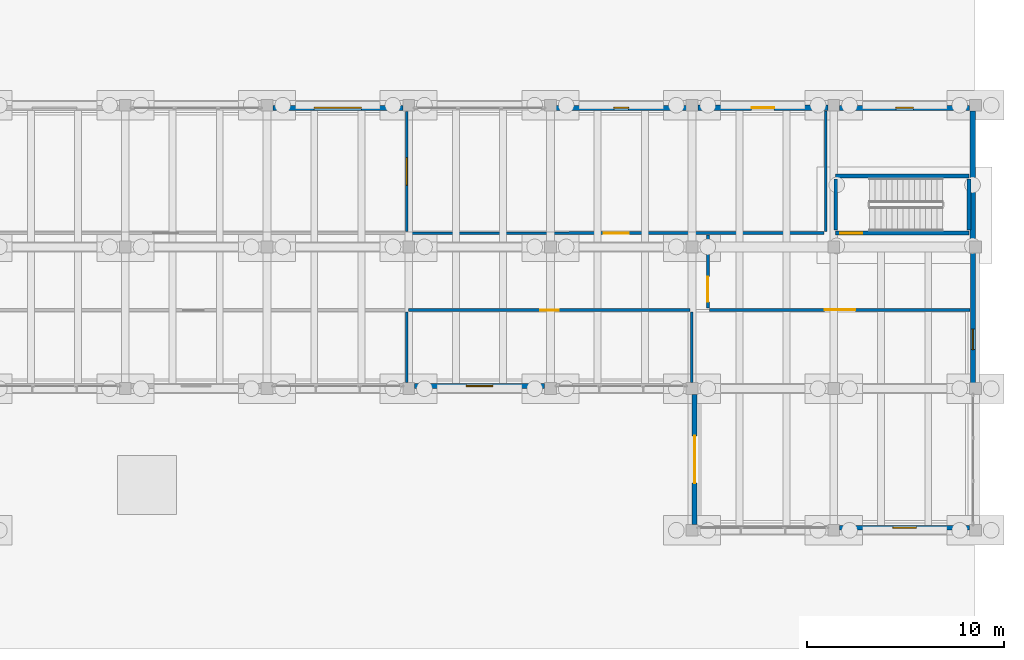
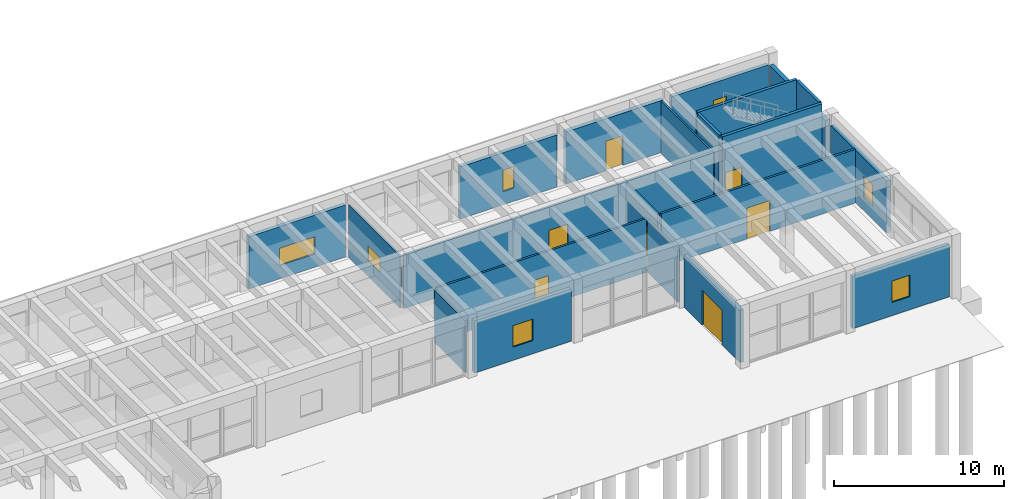
# One storey, part 127 of 155: 21 walls, 7 doors, 7 windows, 14 openings.
"""IFC4 building model written with IfcOpenShell, lengths in metres."""

from ifc_helpers import new_model, si_unit, direction, frame, frame_2d, origin, place, context, subcontext, project, spatial, rectangle, extrude, material, layer, layer_set, type_object, element, fill, save


model = new_model("IFC4")

# Units and contexts
model_context = context("Model", 3, precision=1e-05, world=origin(), true_north=direction((0.0, 1.0)))
body_context = subcontext(model_context, "Body", "Model", "MODEL_VIEW")
ifc_project = project(units=[si_unit("LENGTHUNIT", "METRE"), si_unit("AREAUNIT", "SQUARE_METRE"), si_unit("VOLUMEUNIT", "CUBIC_METRE"), si_unit("PLANEANGLEUNIT", "RADIAN"), si_unit("MASSUNIT", "GRAM", prefix="KILO")], contexts=[model_context])

# Site, building, storey
site_placement = place(None, origin())
site = spatial("IfcSite", under=ifc_project, at=site_placement, CompositionType="ELEMENT")
building_placement = place(site_placement, origin())
building = spatial("IfcBuilding", under=site, at=building_placement, Name="Bramvelor Terrace Health Centre", CompositionType="ELEMENT")
storey_placement = place(building_placement, origin())
storey = spatial("IfcBuildingStorey", under=building, at=storey_placement, Name="L01", CompositionType="ELEMENT", Elevation=0.0)

# Wall
ifc_material_1 = material(Name="Acoustic clinical partition board", Category="gypsum")
ifc_layer_1 = layer(ifc_material_1, 0.1201171875)
ifc_layer_set_1 = layer_set([ifc_layer_1], Name="Acoustic clinical partition board")
wall_type_1 = type_object("IfcWallType", Name="WL-CLN-120", PredefinedType="PARTITIONING", material=ifc_layer_set_1)
wall_1_placement = place(storey_placement, frame((136.699951171875, 54.300048828125, 0.0), z_axis=(0.0, 0.0, 1.0), x_axis=(0.0, -1.0, 0.0)))
element("IfcWall", 1, at=wall_1_placement, inside=storey, type_object=wall_type_1, Name="L01 Interior Partition 95", PredefinedType="PARTITIONING", context=body_context, shape_type="SweptSolid", body=[
    extrude(rectangle(XDim=3.590087890625, YDim=0.1201171875, at=frame_2d((1.794921875, 0.0))), origin(), (0.0, 0.0, 1.0), 3.760009765625),
])

# Wall, opening, window
wall_2_placement = place(storey_placement, frame((136.699951171875, 64.489990234375, 0.0), z_axis=(0.0, 0.0, 1.0), x_axis=(0.0, -1.0, 0.0)))
wall_2 = element("IfcWall", 2, at=wall_2_placement, inside=storey, type_object=wall_type_1, Name="L01 Interior Partition 98", PredefinedType="PARTITIONING", context=body_context, shape_type="SweptSolid", body=[
    extrude(rectangle(XDim=6.099609375, YDim=0.1201171875, at=frame_2d((3.0498046875, 0.0))), origin(), (0.0, 0.0, 1.0), 3.760009765625),
])
opening_1_placement = place(wall_2_placement, frame((2.349609375, 0.0, 1.14990234375)))
opening_1 = element("IfcOpeningElement", 3, at=opening_1_placement, cuts=wall_2, Name="Opening IWN-1", PredefinedType="OPENING", context=body_context, shape_type="SweptSolid", body=[
    extrude(rectangle(XDim=1.39990234375, YDim=1.050048828125, at=frame_2d((0.699951171875, 0.52490234375))), frame((0.0, 0.070068359375, 0.0), z_axis=(0.0, -1.0, 0.0), x_axis=(1.0, 0.0, 0.0)), (0.0, 0.0, 1.0), 0.14013671875),
])
ifc_material_2 = material(Name="Acoustic laminated observation glass", Category="glass")
window_type_1 = type_object("IfcWindowType", Name="WIN-INT-OBS140", PartitioningType="SINGLE_PANEL", PredefinedType="WINDOW", material=ifc_material_2)
window_1_placement = place(opening_1_placement, origin())
window_1 = element("IfcWindow", 4, at=window_1_placement, inside=storey, type_object=window_type_1, Name="L01 Clinical Observation Window 14", OverallHeight=1.050048828125, OverallWidth=1.39990234375, PartitioningType="SINGLE_PANEL", PredefinedType="WINDOW", context=body_context, shape_type="SweptSolid", body=[
    extrude(rectangle(XDim=1.39990234375, YDim=1.050048828125, at=frame_2d((0.699951171875, 0.52490234375))), frame((0.0, 0.030029296875, 0.0), z_axis=(0.0, -1.0, 0.0), x_axis=(1.0, 0.0, 0.0)), (0.0, 0.0, 1.0), 0.06005859375),
])
fill(opening_1, window_1)

# Walls
wall_3_placement = place(storey_placement, frame((158.0, 64.510009765625, 0.0), z_axis=(0.0, 0.0, 1.0), x_axis=(0.0, -1.0, 0.0)))
element("IfcWall", 5, at=wall_3_placement, inside=storey, type_object=wall_type_1, Name="L01 Interior Partition 101", PredefinedType="PARTITIONING", context=body_context, shape_type="SweptSolid", body=[
    extrude(rectangle(XDim=6.117919921875, YDim=0.1201171875, at=frame_2d((3.05908203125, 0.0))), origin(), (0.0, 0.0, 1.0), 3.760009765625),
])
ifc_material_3 = material(Name="Acoustic clinical partition board", Category="gypsum")
ifc_layer_2 = layer(ifc_material_3, 0.1298828125)
ifc_layer_set_2 = layer_set([ifc_layer_2], Name="Acoustic clinical partition board")
wall_type_2 = type_object("IfcWallType", Name="WL-CLN-130", PredefinedType="PARTITIONING", material=ifc_layer_set_2)
wall_4_placement = place(storey_placement, frame((151.18994140625, 54.300048828125, 0.0), z_axis=(0.0, 0.0, 1.0), x_axis=(0.0, -1.0, 0.0)))
element("IfcWall", 6, at=wall_4_placement, inside=storey, type_object=wall_type_2, Name="L01 Interior Partition 97", PredefinedType="PARTITIONING", context=body_context, shape_type="SweptSolid", body=[
    extrude(rectangle(XDim=3.590087890625, YDim=0.1298828125, at=frame_2d((1.794921875, 0.0))), origin(), (0.0, 0.0, 1.0), 3.760009765625),
])

# Wall, opening, door
ifc_material_4 = material(Name="Fire-rated gypsum and mineral wool", Category="gypsum")
ifc_layer_3 = layer(ifc_material_4, 0.139892578125)
ifc_layer_set_3 = layer_set([ifc_layer_3], Name="Fire-rated gypsum and mineral wool")
wall_type_3 = type_object("IfcWallType", Name="WL-COR-140", PredefinedType="PARTITIONING", material=ifc_layer_set_3)
wall_5_placement = place(storey_placement, frame((136.800048828125, 54.389892578125, 0.0), z_axis=(0.0, 0.0, 1.0), x_axis=(1.0, 0.0, 0.0)))
wall_5 = element("IfcWall", 7, at=wall_5_placement, inside=storey, type_object=wall_type_3, Name="L01 Interior Partition 96", PredefinedType="PARTITIONING", context=body_context, shape_type="SweptSolid", body=[
    extrude(rectangle(XDim=14.300048828125, YDim=0.139892578125, at=frame_2d((7.14990234375, 0.0))), origin(), (0.0, 0.0, 1.0), 3.860107421875),
])
opening_2_placement = place(wall_5_placement, frame((6.679931640625, 0.0, 0.0)))
opening_2 = element("IfcOpeningElement", 8, at=opening_2_placement, cuts=wall_5, Name="Opening FD-08", PredefinedType="OPENING", context=body_context, shape_type="SweptSolid", body=[
    extrude(rectangle(XDim=0.93994140625, YDim=2.10009765625, at=frame_2d((0.469970703125, 1.050048828125))), frame((0.0, 0.079833984375, 0.0), z_axis=(0.0, -1.0, 0.0), x_axis=(1.0, 0.0, 0.0)), (0.0, 0.0, 1.0), 0.159912109375),
])
ifc_material_5 = material(Name="Fire-rated steel and vision panel", Category="steel")
door_type_1 = type_object("IfcDoorType", Name="DR-FD60-094", OperationType="NOTDEFINED", PredefinedType="DOOR", material=ifc_material_5)
door_1_placement = place(opening_2_placement, origin())
door_1 = element("IfcDoor", 9, at=door_1_placement, inside=storey, type_object=door_type_1, Name="L01 Ambulatory Endoscopy Procedure Room 2 Fire Door", OperationType="SINGLE_SWING_LEFT", OverallHeight=2.10009765625, OverallWidth=0.93994140625, PredefinedType="DOOR", context=body_context, shape_type="SweptSolid", body=[
    extrude(rectangle(XDim=0.93994140625, YDim=2.10009765625, at=frame_2d((0.469970703125, 1.050048828125))), frame((0.0, 0.02490234375, 0.0), z_axis=(0.0, -1.0, 0.0), x_axis=(1.0, 0.0, 0.0)), (0.0, 0.0, 1.0), 0.050048828125),
])
fill(opening_2, door_1)

wall_6_placement = place(storey_placement, frame((157.909912109375, 58.302001953125, 0.0), z_axis=(0.0, 0.0, 1.0), x_axis=(-0.999999997592, -6.9391437e-05, 0.0)))
wall_6 = element("IfcWall", 10, at=wall_6_placement, inside=storey, type_object=wall_type_3, Name="L01 Interior Partition 102", PredefinedType="PARTITIONING", context=body_context, shape_type="SweptSolid", body=[
    extrude(rectangle(XDim=21.10986328125, YDim=0.139892578125, at=frame_2d((10.554931640625, 0.0))), origin(), (0.0, 0.0, 1.0), 3.860107421875),
])
opening_3_placement = place(wall_6_placement, frame((9.9150390625, 0.0, 0.0)))
opening_3 = element("IfcOpeningElement", 11, at=opening_3_placement, cuts=wall_6, Name="Opening FD-01", PredefinedType="OPENING", context=body_context, shape_type="SweptSolid", body=[
    extrude(rectangle(XDim=1.280029296875, YDim=2.179931640625, at=frame_2d((0.64013671875, 1.08984375))), frame((0.0, 0.079833984375, 0.0), z_axis=(0.0, -1.0, 0.0), x_axis=(1.0, 0.0, 0.0)), (0.0, 0.0, 1.0), 0.159912109375),
])
ifc_material_6 = material(Name="Fire-rated steel and vision panel", Category="steel")
door_type_2 = type_object("IfcDoorType", Name="DR-FD90-128", OperationType="NOTDEFINED", PredefinedType="DOOR", material=ifc_material_6)
door_2_placement = place(opening_3_placement, origin())
door_2 = element("IfcDoor", 12, at=door_2_placement, inside=storey, type_object=door_type_2, Name="L01 Endoscope Sterile Reprocessing Room Fire Door", OperationType="SINGLE_SWING_RIGHT", OverallHeight=2.179931640625, OverallWidth=1.280029296875, PredefinedType="DOOR", context=body_context, shape_type="SweptSolid", body=[
    extrude(rectangle(XDim=1.280029296875, YDim=2.179931640625, at=frame_2d((0.64013671875, 1.08984375))), frame((0.0, 0.02490234375, 0.0), z_axis=(0.0, -1.0, 0.0), x_axis=(1.0, 0.0, 0.0)), (0.0, 0.0, 1.0), 0.050048828125),
])
fill(opening_3, door_2)

ifc_material_7 = material(Name="Concrete C40/50", Category="concrete")
ifc_layer_4 = layer(ifc_material_7, 0.199951171875)
ifc_layer_set_4 = layer_set([ifc_layer_4], Name="Concrete C40/50")
wall_type_4 = type_object("IfcWallType", Name="WL-CORE-200", PredefinedType="SHEAR", material=ifc_layer_set_4)
wall_7_placement = place(storey_placement, frame((158.5, 58.300048828125, -0.25), z_axis=(0.0, 0.0, 1.0), x_axis=(1.0, 0.0, 0.0)))
wall_7 = element("IfcWall", 13, at=wall_7_placement, inside=storey, type_object=wall_type_4, Name="ST-7 L01 Stair Shaft Wall", PredefinedType="SHEAR", context=body_context, shape_type="SweptSolid", body=[
    extrude(rectangle(XDim=6.77490234375, YDim=0.199951171875, at=frame_2d((3.387451171875, 0.0))), origin(), (0.0, 0.0, 1.0), 5.050048828125),
])
opening_4_placement = place(wall_7_placement, frame((0.219970703125, 0.0, 0.25)))
opening_4 = element("IfcOpeningElement", 14, at=opening_4_placement, cuts=wall_7, Name="Opening FD-06", PredefinedType="OPENING", context=body_context, shape_type="SweptSolid", body=[
    extrude(rectangle(XDim=1.1201171875, YDim=2.139892578125, at=frame_2d((0.56005859375, 1.06982421875))), frame((0.0, 0.10986328125, 0.0), z_axis=(0.0, -1.0, 0.0), x_axis=(1.0, 0.0, 0.0)), (0.0, 0.0, 1.0), 0.219970703125),
])
ifc_material_8 = material(Name="Fire-rated steel and vision panel", Category="steel")
door_type_3 = type_object("IfcDoorType", Name="DR-FD60-112", OperationType="NOTDEFINED", PredefinedType="DOOR", material=ifc_material_8)
door_3_placement = place(opening_4_placement, origin())
door_3 = element("IfcDoor", 15, at=door_3_placement, inside=storey, type_object=door_type_3, Name="ST-7 L01 Exit Stair Fire Door", OperationType="SINGLE_SWING_LEFT", OverallHeight=2.139892578125, OverallWidth=1.1201171875, PredefinedType="DOOR", context=body_context, shape_type="SweptSolid", body=[
    extrude(rectangle(XDim=1.1201171875, YDim=2.139892578125, at=frame_2d((0.56005859375, 1.06982421875))), frame((0.0, 0.02490234375, 0.0), z_axis=(0.0, -1.0, 0.0), x_axis=(1.0, 0.0, 0.0)), (0.0, 0.0, 1.0), 0.050048828125),
])
fill(opening_4, door_3)

# Walls
wall_8_placement = place(storey_placement, frame((158.5, 61.199951171875, -0.25), z_axis=(0.0, 0.0, 1.0), x_axis=(1.0, 0.0, 0.0)))
element("IfcWall", 16, at=wall_8_placement, inside=storey, type_object=wall_type_4, Name="ST-7 L01 Stair Shaft Wall", PredefinedType="SHEAR", context=body_context, shape_type="SweptSolid", body=[
    extrude(rectangle(XDim=6.77490234375, YDim=0.199951171875, at=frame_2d((3.387451171875, 0.0))), origin(), (0.0, 0.0, 1.0), 5.050048828125),
])
for number, where, z_axis, x_axis, name in (
    (17, (158.5, 58.449951171875, -0.25), (0.0, 0.0, 1.0), (0.0, 1.0, 0.0), "ST-7 L01 Stair Shaft Wall"),
    (18, (165.27490234375, 58.449951171875, -0.25), (0.0, 0.0, 1.0), (0.0, 1.0, 0.0), "ST-7 L01 Stair Shaft Wall"),
):
    element("IfcWall", number, at=place(storey_placement, frame(where, z_axis=z_axis, x_axis=x_axis)), inside=storey, type_object=wall_type_4, Name=name, PredefinedType="SHEAR", context=body_context, shape_type="SweptSolid", body=[
        extrude(rectangle(XDim=2.60009765625, YDim=0.199951171875, at=frame_2d((1.300048828125, 0.0))), origin(), (0.0, 0.0, 1.0), 5.050048828125),
    ])

# Wall, opening, window
ifc_material_9 = material(Name="Precast concrete C40/50", Category="concrete")
ifc_layer_5 = layer(ifc_material_9, 0.25)
ifc_layer_set_5 = layer_set([ifc_layer_5], Name="Precast concrete C40/50")
wall_type_5 = type_object("IfcWallType", Name="WL-EXT-RC250", PredefinedType="SOLIDWALL", material=ifc_layer_set_5)
wall_9_placement = place(storey_placement, frame((129.89501953125, 64.669921875, 0.0), z_axis=(0.0, 0.0, 1.0), x_axis=(1.0, 0.0, 0.0)))
wall_9 = element("IfcWall", 19, at=wall_9_placement, inside=storey, type_object=wall_type_5, Name="L01 Exterior Facade Wall 83", PredefinedType="SOLIDWALL", context=body_context, shape_type="SweptSolid", body=[
    extrude(rectangle(XDim=6.60986328125, YDim=0.25, at=frame_2d((3.304931640625, 0.0))), origin(), (0.0, 0.0, 1.0), 3.760009765625),
])
opening_5_placement = place(wall_9_placement, frame((2.10498046875, 0.0, 0.949951171875)))
opening_5 = element("IfcOpeningElement", 20, at=opening_5_placement, cuts=wall_9, Name="Opening WN-36", PredefinedType="OPENING", context=body_context, shape_type="SweptSolid", body=[
    extrude(rectangle(XDim=2.39990234375, YDim=1.25, at=frame_2d((1.199951171875, 0.625))), frame((0.0, 0.135009765625, 0.0), z_axis=(0.0, -1.0, 0.0), x_axis=(1.0, 0.0, 0.0)), (0.0, 0.0, 1.0), 0.27001953125),
])
ifc_material_10 = material(Name="Double low-E laminated glass", Category="glass")
window_type_2 = type_object("IfcWindowType", Name="WIN-EXT-36", PartitioningType="SINGLE_PANEL", PredefinedType="WINDOW", material=ifc_material_10)
window_2_placement = place(opening_5_placement, origin())
window_2 = element("IfcWindow", 21, at=window_2_placement, inside=storey, type_object=window_type_2, Name="L01 Scheduled Clinical Window 36", OverallHeight=1.25, OverallWidth=2.39990234375, PartitioningType="SINGLE_PANEL", PredefinedType="WINDOW", context=body_context, shape_type="SweptSolid", body=[
    extrude(rectangle(XDim=2.39990234375, YDim=1.25, at=frame_2d((1.199951171875, 0.625))), frame((0.0, 0.030029296875, 0.0), z_axis=(0.0, -1.0, 0.0), x_axis=(1.0, 0.0, 0.0)), (0.0, 0.0, 1.0), 0.06005859375),
])
fill(opening_5, window_2)

wall_10_placement = place(storey_placement, frame((144.294921875, 64.669921875, 0.0), z_axis=(0.0, 0.0, 1.0), x_axis=(1.0, 0.0, 0.0)))
wall_10 = element("IfcWall", 22, at=wall_10_placement, inside=storey, type_object=wall_type_5, Name="L01 Exterior Facade Wall 85", PredefinedType="SOLIDWALL", context=body_context, shape_type="SweptSolid", body=[
    extrude(rectangle(XDim=6.610107421875, YDim=0.25, at=frame_2d((3.30517578125, 0.0))), origin(), (0.0, 0.0, 1.0), 3.760009765625),
])
opening_6_placement = place(wall_10_placement, frame((2.929931640625, 0.0, 0.949951171875)))
opening_6 = element("IfcOpeningElement", 23, at=opening_6_placement, cuts=wall_10, Name="Opening WN-37", PredefinedType="OPENING", context=body_context, shape_type="SweptSolid", body=[
    extrude(rectangle(XDim=0.75, YDim=1.550048828125, at=frame_2d((0.375, 0.77490234375))), frame((0.0, 0.135009765625, 0.0), z_axis=(0.0, -1.0, 0.0), x_axis=(1.0, 0.0, 0.0)), (0.0, 0.0, 1.0), 0.27001953125),
])
ifc_material_11 = material(Name="Double low-E laminated glass", Category="glass")
window_type_3 = type_object("IfcWindowType", Name="WIN-EXT-37", PartitioningType="SINGLE_PANEL", PredefinedType="WINDOW", material=ifc_material_11)
window_3_placement = place(opening_6_placement, origin())
window_3 = element("IfcWindow", 24, at=window_3_placement, inside=storey, type_object=window_type_3, Name="L01 Scheduled Clinical Window 37", OverallHeight=1.550048828125, OverallWidth=0.75, PartitioningType="SINGLE_PANEL", PredefinedType="WINDOW", context=body_context, shape_type="SweptSolid", body=[
    extrude(rectangle(XDim=0.75, YDim=1.550048828125, at=frame_2d((0.375, 0.77490234375))), frame((0.0, 0.030029296875, 0.0), z_axis=(0.0, -1.0, 0.0), x_axis=(1.0, 0.0, 0.0)), (0.0, 0.0, 1.0), 0.06005859375),
])
fill(opening_6, window_3)

wall_11_placement = place(storey_placement, frame((158.695068359375, 64.669921875, 0.0), z_axis=(0.0, 0.0, 1.0), x_axis=(1.0, 0.0, 0.0)))
wall_11 = element("IfcWall", 25, at=wall_11_placement, inside=storey, type_object=wall_type_5, Name="L01 Exterior Facade Wall 87", PredefinedType="SOLIDWALL", context=body_context, shape_type="SweptSolid", body=[
    extrude(rectangle(XDim=6.60986328125, YDim=0.25, at=frame_2d((3.304931640625, 0.0))), origin(), (0.0, 0.0, 1.0), 3.760009765625),
])
opening_7_placement = place(wall_11_placement, frame((2.85498046875, 0.0, 0.949951171875)))
opening_7 = element("IfcOpeningElement", 26, at=opening_7_placement, cuts=wall_11, Name="Opening WN-38", PredefinedType="OPENING", context=body_context, shape_type="SweptSolid", body=[
    extrude(rectangle(XDim=0.89990234375, YDim=1.550048828125, at=frame_2d((0.449951171875, 0.77490234375))), frame((0.0, 0.135009765625, 0.0), z_axis=(0.0, -1.0, 0.0), x_axis=(1.0, 0.0, 0.0)), (0.0, 0.0, 1.0), 0.27001953125),
])
ifc_material_12 = material(Name="Double low-E laminated glass", Category="glass")
window_type_4 = type_object("IfcWindowType", Name="WIN-EXT-38", PartitioningType="SINGLE_PANEL", PredefinedType="WINDOW", material=ifc_material_12)
window_4_placement = place(opening_7_placement, origin())
window_4 = element("IfcWindow", 27, at=window_4_placement, inside=storey, type_object=window_type_4, Name="L01 Scheduled Clinical Window 38", OverallHeight=1.550048828125, OverallWidth=0.89990234375, PartitioningType="SINGLE_PANEL", PredefinedType="WINDOW", context=body_context, shape_type="SweptSolid", body=[
    extrude(rectangle(XDim=0.89990234375, YDim=1.550048828125, at=frame_2d((0.449951171875, 0.77490234375))), frame((0.0, 0.030029296875, 0.0), z_axis=(0.0, -1.0, 0.0), x_axis=(1.0, 0.0, 0.0)), (0.0, 0.0, 1.0), 0.06005859375),
])
fill(opening_7, window_4)

wall_12_placement = place(storey_placement, frame((165.469970703125, 57.304931640625, 0.0), z_axis=(0.0, 0.0, 1.0), x_axis=(0.0, -1.0, 0.0)))
wall_12 = element("IfcWall", 28, at=wall_12_placement, inside=storey, type_object=wall_type_5, Name="L01 Exterior Facade Wall 89", PredefinedType="SOLIDWALL", context=body_context, shape_type="SweptSolid", body=[
    extrude(rectangle(XDim=6.60986328125, YDim=0.25, at=frame_2d((3.304931640625, 0.0))), origin(), (0.0, 0.0, 1.0), 3.760009765625),
])
opening_8_placement = place(wall_12_placement, frame((3.8798828125, 0.0, 0.949951171875)))
opening_8 = element("IfcOpeningElement", 29, at=opening_8_placement, cuts=wall_12, Name="Opening WN-39", PredefinedType="OPENING", context=body_context, shape_type="SweptSolid", body=[
    extrude(rectangle(XDim=1.050048828125, YDim=1.550048828125, at=frame_2d((0.52490234375, 0.77490234375))), frame((0.0, 0.135009765625, 0.0), z_axis=(0.0, -1.0, 0.0), x_axis=(1.0, 0.0, 0.0)), (0.0, 0.0, 1.0), 0.27001953125),
])
ifc_material_13 = material(Name="Double low-E laminated glass", Category="glass")
window_type_5 = type_object("IfcWindowType", Name="WIN-EXT-39", PartitioningType="SINGLE_PANEL", PredefinedType="WINDOW", material=ifc_material_13)
window_5_placement = place(opening_8_placement, origin())
window_5 = element("IfcWindow", 30, at=window_5_placement, inside=storey, type_object=window_type_5, Name="L01 Scheduled Clinical Window 39", OverallHeight=1.550048828125, OverallWidth=1.050048828125, PartitioningType="SINGLE_PANEL", PredefinedType="WINDOW", context=body_context, shape_type="SweptSolid", body=[
    extrude(rectangle(XDim=1.050048828125, YDim=1.550048828125, at=frame_2d((0.52490234375, 0.77490234375))), frame((0.0, 0.030029296875, 0.0), z_axis=(0.0, -1.0, 0.0), x_axis=(1.0, 0.0, 0.0)), (0.0, 0.0, 1.0), 0.06005859375),
])
fill(opening_8, window_5)

wall_13_placement = place(storey_placement, frame((165.304931640625, 43.330078125, 0.0), z_axis=(0.0, 0.0, 1.0), x_axis=(-1.0, 0.0, 0.0)))
wall_13 = element("IfcWall", 31, at=wall_13_placement, inside=storey, type_object=wall_type_5, Name="L01 Exterior Facade Wall 91", PredefinedType="SOLIDWALL", context=body_context, shape_type="SweptSolid", body=[
    extrude(rectangle(XDim=6.60986328125, YDim=0.25, at=frame_2d((3.304931640625, 0.0))), origin(), (0.0, 0.0, 1.0), 3.760009765625),
])
opening_9_placement = place(wall_13_placement, frame((2.705078125, 0.0, 0.949951171875)))
opening_9 = element("IfcOpeningElement", 32, at=opening_9_placement, cuts=wall_13, Name="Opening WN-40", PredefinedType="OPENING", context=body_context, shape_type="SweptSolid", body=[
    extrude(rectangle(XDim=1.199951171875, YDim=1.550048828125, at=frame_2d((0.60009765625, 0.77490234375))), frame((0.0, 0.135009765625, 0.0), z_axis=(0.0, -1.0, 0.0), x_axis=(1.0, 0.0, 0.0)), (0.0, 0.0, 1.0), 0.27001953125),
])
ifc_material_14 = material(Name="Double low-E laminated glass", Category="glass")
window_type_6 = type_object("IfcWindowType", Name="WIN-EXT-40", PartitioningType="SINGLE_PANEL", PredefinedType="WINDOW", material=ifc_material_14)
window_6_placement = place(opening_9_placement, origin())
window_6 = element("IfcWindow", 33, at=window_6_placement, inside=storey, type_object=window_type_6, Name="L01 Scheduled Clinical Window 40", OverallHeight=1.550048828125, OverallWidth=1.199951171875, PartitioningType="SINGLE_PANEL", PredefinedType="WINDOW", context=body_context, shape_type="SweptSolid", body=[
    extrude(rectangle(XDim=1.199951171875, YDim=1.550048828125, at=frame_2d((0.60009765625, 0.77490234375))), frame((0.0, 0.030029296875, 0.0), z_axis=(0.0, -1.0, 0.0), x_axis=(1.0, 0.0, 0.0)), (0.0, 0.0, 1.0), 0.06005859375),
])
fill(opening_9, window_6)

# Wall, opening, door
wall_14_placement = place(storey_placement, frame((151.330078125, 43.4951171875, 0.0), z_axis=(0.0, 0.0, 1.0), x_axis=(0.0, 1.0, 0.0)))
wall_14 = element("IfcWall", 34, at=wall_14_placement, inside=storey, type_object=wall_type_5, Name="L01 Exterior Facade Wall 93", PredefinedType="SOLIDWALL", context=body_context, shape_type="SweptSolid", body=[
    extrude(rectangle(XDim=6.60986328125, YDim=0.25, at=frame_2d((3.304931640625, 0.0))), origin(), (0.0, 0.0, 1.0), 3.760009765625),
])
opening_10_placement = place(wall_14_placement, frame((2.10498046875, 0.0, 0.0)))
opening_10 = element("IfcOpeningElement", 35, at=opening_10_placement, cuts=wall_14, Name="Opening ED-01", PredefinedType="OPENING", context=body_context, shape_type="SweptSolid", body=[
    extrude(rectangle(XDim=2.39990234375, YDim=2.5, at=frame_2d((1.199951171875, 1.25))), frame((0.0, 0.135009765625, 0.0), z_axis=(0.0, -1.0, 0.0), x_axis=(1.0, 0.0, 0.0)), (0.0, 0.0, 1.0), 0.27001953125),
])
ifc_material_15 = material(Name="Anodized aluminium and laminated glass", Category="aluminium")
door_type_4 = type_object("IfcDoorType", Name="DR-EXT-MAIN-240", OperationType="DOUBLE_DOOR_SINGLE_SWING", PredefinedType="DOOR", material=ifc_material_15)
door_4_placement = place(opening_10_placement, origin())
door_4 = element("IfcDoor", 36, at=door_4_placement, inside=storey, type_object=door_type_4, Name="L01 Exterior Door 8", OperationType="DOUBLE_DOOR_SINGLE_SWING", OverallHeight=2.5, OverallWidth=2.39990234375, PredefinedType="DOOR", context=body_context, shape_type="SweptSolid", body=[
    extrude(rectangle(XDim=2.39990234375, YDim=2.5, at=frame_2d((1.199951171875, 1.25))), frame((0.0, 0.02490234375, 0.0), z_axis=(0.0, -1.0, 0.0), x_axis=(1.0, 0.0, 0.0)), (0.0, 0.0, 1.0), 0.050048828125),
])
fill(opening_10, door_4)

# Wall, opening, window
wall_15_placement = place(storey_placement, frame((143.705078125, 50.530029296875, 0.0), z_axis=(0.0, 0.0, 1.0), x_axis=(-1.0, 0.0, 0.0)))
wall_15 = element("IfcWall", 37, at=wall_15_placement, inside=storey, type_object=wall_type_5, Name="L01 Exterior Facade Wall 95", PredefinedType="SOLIDWALL", context=body_context, shape_type="SweptSolid", body=[
    extrude(rectangle(XDim=6.610107421875, YDim=0.25, at=frame_2d((3.30517578125, 0.0))), origin(), (0.0, 0.0, 1.0), 3.760009765625),
])
opening_11_placement = place(wall_15_placement, frame((2.6298828125, 0.0, 0.949951171875)))
opening_11 = element("IfcOpeningElement", 38, at=opening_11_placement, cuts=wall_15, Name="Opening WN-41", PredefinedType="OPENING", context=body_context, shape_type="SweptSolid", body=[
    extrude(rectangle(XDim=1.35009765625, YDim=1.550048828125, at=frame_2d((0.675048828125, 0.77490234375))), frame((0.0, 0.135009765625, 0.0), z_axis=(0.0, -1.0, 0.0), x_axis=(1.0, 0.0, 0.0)), (0.0, 0.0, 1.0), 0.27001953125),
])
ifc_material_16 = material(Name="Double low-E laminated glass", Category="glass")
window_type_7 = type_object("IfcWindowType", Name="WIN-EXT-41", PartitioningType="SINGLE_PANEL", PredefinedType="WINDOW", material=ifc_material_16)
window_7_placement = place(opening_11_placement, origin())
window_7 = element("IfcWindow", 39, at=window_7_placement, inside=storey, type_object=window_type_7, Name="L01 Scheduled Clinical Window 41", OverallHeight=1.550048828125, OverallWidth=1.35009765625, PartitioningType="SINGLE_PANEL", PredefinedType="WINDOW", context=body_context, shape_type="SweptSolid", body=[
    extrude(rectangle(XDim=1.35009765625, YDim=1.550048828125, at=frame_2d((0.675048828125, 0.77490234375))), frame((0.0, 0.030029296875, 0.0), z_axis=(0.0, -1.0, 0.0), x_axis=(1.0, 0.0, 0.0)), (0.0, 0.0, 1.0), 0.06005859375),
])
fill(opening_11, window_7)

# Wall, opening, door
ifc_material_17 = material(Name="Precast concrete C40/50", Category="concrete")
ifc_layer_6 = layer(ifc_material_17, 0.280029296875)
ifc_layer_set_6 = layer_set([ifc_layer_6], Name="Precast concrete C40/50")
wall_type_6 = type_object("IfcWallType", Name="WL-EXT-RC280", PredefinedType="SOLIDWALL", material=ifc_layer_set_6)
wall_16_placement = place(storey_placement, frame((151.4951171875, 64.669921875, 0.0), z_axis=(0.0, 0.0, 1.0), x_axis=(1.0, 0.0, 0.0)))
wall_16 = element("IfcWall", 40, at=wall_16_placement, inside=storey, type_object=wall_type_6, Name="L01 Exterior Facade Wall 86", PredefinedType="SOLIDWALL", context=body_context, shape_type="SweptSolid", body=[
    extrude(rectangle(XDim=6.60986328125, YDim=0.280029296875, at=frame_2d((3.304931640625, 0.0))), origin(), (0.0, 0.0, 1.0), 3.760009765625),
])
opening_12_placement = place(wall_16_placement, frame((2.72998046875, 0.0, 0.0)))
opening_12 = element("IfcOpeningElement", 41, at=opening_12_placement, cuts=wall_16, Name="Opening ED-07", PredefinedType="OPENING", context=body_context, shape_type="SweptSolid", body=[
    extrude(rectangle(XDim=1.14990234375, YDim=2.14990234375, at=frame_2d((0.574951171875, 1.074951171875))), frame((0.0, 0.14990234375, 0.0), z_axis=(0.0, -1.0, 0.0), x_axis=(1.0, 0.0, 0.0)), (0.0, 0.0, 1.0), 0.300048828125),
])
ifc_material_18 = material(Name="Powder-coated steel", Category="steel")
door_type_5 = type_object("IfcDoorType", Name="DR-EXT-EXIT-115", OperationType="NOTDEFINED", PredefinedType="DOOR", material=ifc_material_18)
door_5_placement = place(opening_12_placement, origin())
door_5 = element("IfcDoor", 42, at=door_5_placement, inside=storey, type_object=door_type_5, Name="L01 Exterior Door 7", OperationType="SINGLE_SWING_RIGHT", OverallHeight=2.14990234375, OverallWidth=1.14990234375, PredefinedType="DOOR", context=body_context, shape_type="SweptSolid", body=[
    extrude(rectangle(XDim=1.14990234375, YDim=2.14990234375, at=frame_2d((0.574951171875, 1.074951171875))), frame((0.0, 0.02490234375, 0.0), z_axis=(0.0, -1.0, 0.0), x_axis=(1.0, 0.0, 0.0)), (0.0, 0.0, 1.0), 0.050048828125),
])
fill(opening_12, door_5)

# Wall
wall_17_placement = place(storey_placement, frame((165.469970703125, 64.5048828125, 0.0), z_axis=(0.0, 0.0, 1.0), x_axis=(0.0, -1.0, 0.0)))
element("IfcWall", 43, at=wall_17_placement, inside=storey, type_object=wall_type_6, Name="L01 Exterior Facade Wall 88", PredefinedType="SOLIDWALL", context=body_context, shape_type="SweptSolid", body=[
    extrude(rectangle(XDim=6.60986328125, YDim=0.280029296875, at=frame_2d((3.304931640625, 0.0))), origin(), (0.0, 0.0, 1.0), 3.760009765625),
])

# Wall, opening, door
ifc_material_19 = material(Name="Fire-rated gypsum and mineral wool", Category="gypsum")
ifc_layer_7 = layer(ifc_material_19, 0.14990234375)
ifc_layer_set_7 = layer_set([ifc_layer_7], Name="Fire-rated gypsum and mineral wool")
wall_type_7 = type_object("IfcWallType", Name="WL-FIR-150", PredefinedType="PARTITIONING", material=ifc_layer_set_7)
wall_18_placement = place(storey_placement, frame((165.3349609375, 54.39990234375, 0.0), z_axis=(0.0, 0.0, 1.0), x_axis=(-1.0, 0.0, 0.0)))
wall_18 = element("IfcWall", 44, at=wall_18_placement, inside=storey, type_object=wall_type_7, Name="L01 Interior Partition 57", PredefinedType="PARTITIONING", context=body_context, shape_type="SweptSolid", body=[
    extrude(rectangle(XDim=13.242919921875, YDim=0.14990234375, at=frame_2d((6.62158203125, 0.0))), origin(), (0.0, 0.0, 1.0), 3.860107421875),
])
opening_13_placement = place(wall_18_placement, frame((5.841552734375, 0.0, 0.0)))
opening_13 = element("IfcOpeningElement", 45, at=opening_13_placement, cuts=wall_18, Name="Opening FD-03", PredefinedType="OPENING", context=body_context, shape_type="SweptSolid", body=[
    extrude(rectangle(XDim=1.56005859375, YDim=2.219970703125, at=frame_2d((0.780029296875, 1.10986328125))), frame((0.0, 0.0849609375, 0.0), z_axis=(0.0, -1.0, 0.0), x_axis=(1.0, 0.0, 0.0)), (0.0, 0.0, 1.0), 0.169921875),
])
ifc_material_20 = material(Name="Fire-rated steel and vision panel", Category="steel")
door_type_6 = type_object("IfcDoorType", Name="DR-FD90-156", OperationType="DOUBLE_DOOR_SINGLE_SWING", PredefinedType="DOOR", material=ifc_material_20)
door_6_placement = place(opening_13_placement, origin())
door_6 = element("IfcDoor", 46, at=door_6_placement, inside=storey, type_object=door_type_6, Name="L01 Day Surgery Discharge Lounge Fire Door", OperationType="DOUBLE_DOOR_SINGLE_SWING", OverallHeight=2.219970703125, OverallWidth=1.56005859375, PredefinedType="DOOR", context=body_context, shape_type="SweptSolid", body=[
    extrude(rectangle(XDim=1.56005859375, YDim=2.219970703125, at=frame_2d((0.780029296875, 1.10986328125))), frame((0.0, 0.02490234375, 0.0), z_axis=(0.0, -1.0, 0.0), x_axis=(1.0, 0.0, 0.0)), (0.0, 0.0, 1.0), 0.050048828125),
])
fill(opening_13, door_6)

wall_19_placement = place(storey_placement, frame((152.001953125, 54.489990234375, 0.0), z_axis=(0.0, 0.0, 1.0), x_axis=(0.0, 1.0, 0.0)))
wall_19 = element("IfcWall", 47, at=wall_19_placement, inside=storey, type_object=wall_type_7, Name="L01 Interior Partition 58", PredefinedType="PARTITIONING", context=body_context, shape_type="SweptSolid", body=[
    extrude(rectangle(XDim=3.719970703125, YDim=0.14990234375, at=frame_2d((1.85986328125, 0.0))), origin(), (0.0, 0.0, 1.0), 3.760009765625),
])
opening_14_placement = place(wall_19_placement, frame((0.320068359375, 0.0, 0.0)))
opening_14 = element("IfcOpeningElement", 48, at=opening_14_placement, cuts=wall_19, Name="Opening FD-01", PredefinedType="OPENING", context=body_context, shape_type="SweptSolid", body=[
    extrude(rectangle(XDim=1.280029296875, YDim=2.179931640625, at=frame_2d((0.64013671875, 1.08984375))), frame((0.0, 0.0849609375, 0.0), z_axis=(0.0, -1.0, 0.0), x_axis=(1.0, 0.0, 0.0)), (0.0, 0.0, 1.0), 0.169921875),
])
door_7_placement = place(opening_14_placement, origin())
door_7 = element("IfcDoor", 49, at=door_7_placement, inside=storey, type_object=door_type_2, Name="L01 Fire Compartment Lobby Door 23", OperationType="SINGLE_SWING_LEFT", OverallHeight=2.179931640625, OverallWidth=1.280029296875, PredefinedType="DOOR", context=body_context, shape_type="SweptSolid", body=[
    extrude(rectangle(XDim=1.280029296875, YDim=2.179931640625, at=frame_2d((0.64013671875, 1.08984375))), frame((0.0, 0.02490234375, 0.0), z_axis=(0.0, -1.0, 0.0), x_axis=(1.0, 0.0, 0.0)), (0.0, 0.0, 1.0), 0.050048828125),
])
fill(opening_14, door_7)

save(model, "model.ifc")
